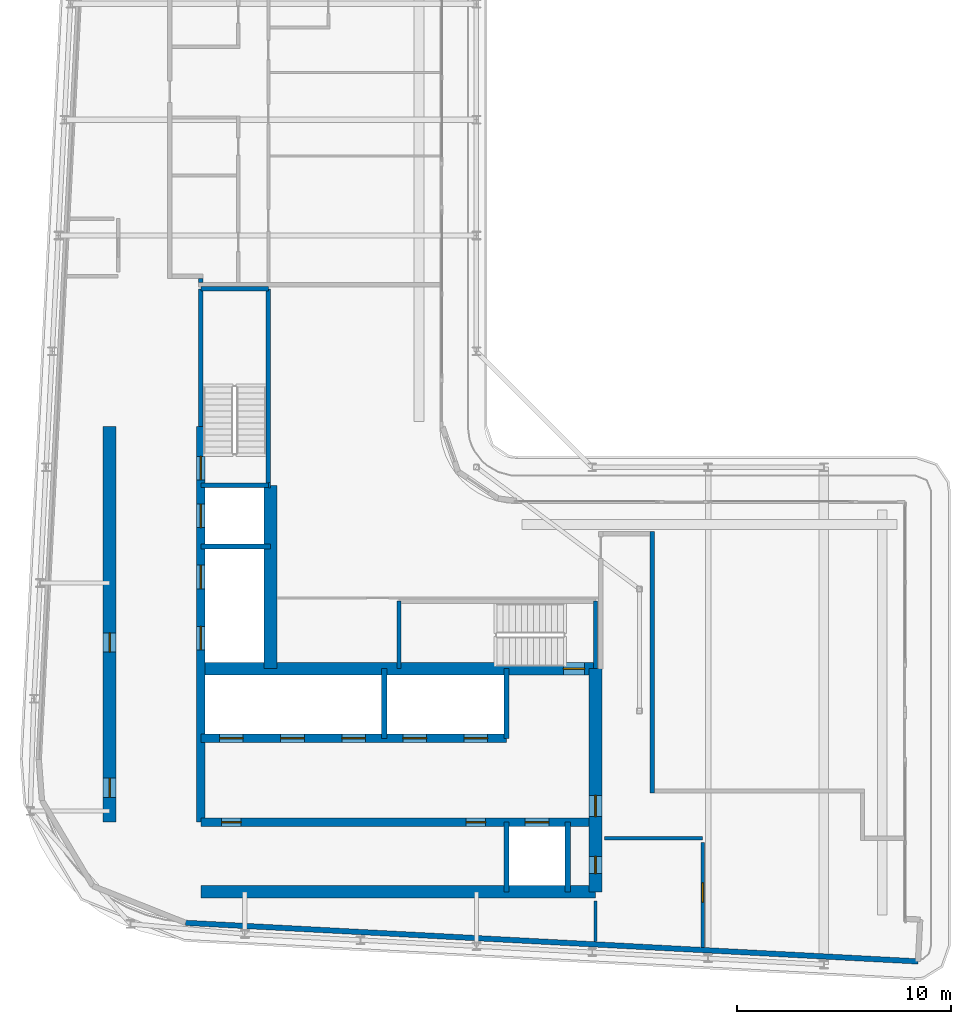
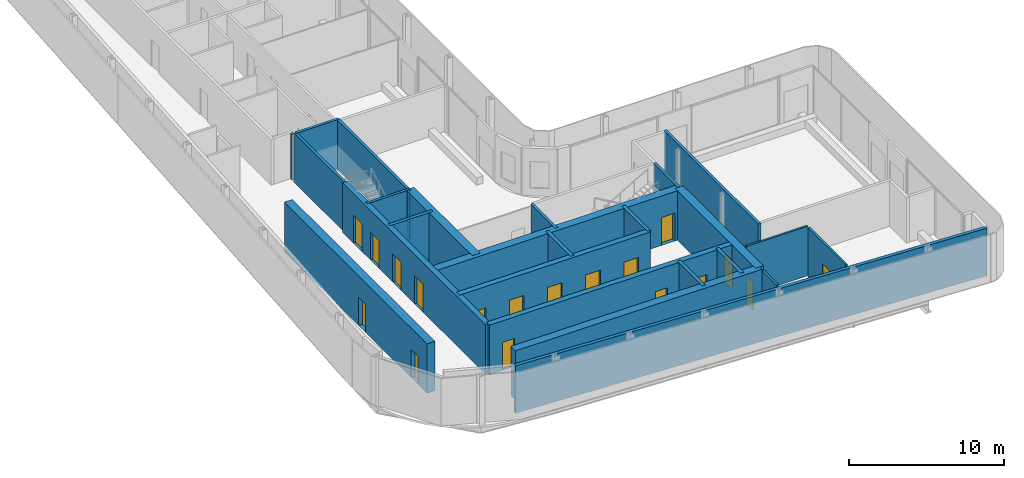
# One storey, part 11 of 20: 26 walls, 18 doors, 18 openings.
"""IFC4 building model written with IfcOpenShell, lengths in metres."""

import ifcopenshell
import ifcopenshell.guid

model = None  # the IFC model being written
_history = None  # IfcOwnerHistory: only IFC2X3 demands one
_inside = {}  # id of a spatial element -> (the spatial element, [elements in it])
_under = {}  # id of a project, library or spatial element -> (it, [spatial elements below it])
_declared = {}  # id of a project -> (the project, [libraries it declares])
_typed = {}  # id of a type object -> (the type object, [elements of that type])
_made_of = {}  # id of a material, layer set ... -> (it, [elements and type objects made of it])


def new_model(schema):
    """Start an empty IFC model of exactly this schema.

    Asked for "IFC4X3", IfcOpenShell would pick the latest addendum, in which some entities
    have other attributes; the version numbers below select the first issue.
    IFC2X3 requires an IfcOwnerHistory on every rooted entity: one is made here for all.
    """
    global model, _history
    if schema == "IFC4X3":
        model = ifcopenshell.file(schema_version=(4, 3, 0, 0))
    else:
        model = ifcopenshell.file(schema=schema)
    _inside.clear()
    _under.clear()
    _declared.clear()
    _typed.clear()
    _made_of.clear()
    _history = None
    if model.schema == "IFC2X3":
        org = make("IfcOrganization", Name="unknown")
        user = make(
            "IfcPersonAndOrganization",
            ThePerson=make("IfcPerson", FamilyName="unknown"),
            TheOrganization=org,
        )
        app = make(
            "IfcApplication",
            ApplicationDeveloper=org,
            Version="unknown",
            ApplicationFullName="unknown",
            ApplicationIdentifier="unknown",
        )
        _history = make(
            "IfcOwnerHistory",
            OwningUser=user,
            OwningApplication=app,
            ChangeAction="ADDED",
            CreationDate=0,
        )
    return model


def make(cls, **values):
    """One entity of the class cls with the attributes given. An attribute that is None is left unset."""
    return model.create_entity(
        cls, **{name: value for name, value in values.items() if value is not None}
    )


def rooted(cls, **values):
    """An entity with a GlobalId (a new one), such as an element, a storey or a relation."""
    return make(cls, GlobalId=ifcopenshell.guid.new(), OwnerHistory=_history, **values)


def si_unit(unit_type, name, prefix=None):
    """IfcSIUnit, for example si_unit("LENGTHUNIT", "METRE", prefix="MILLI")."""
    return make("IfcSIUnit", UnitType=unit_type, Prefix=prefix, Name=name)


def assignment(units):
    """IfcUnitAssignment: the units of a project."""
    return None if units is None else make("IfcUnitAssignment", Units=units)


def point(xyz):
    """IfcCartesianPoint."""
    return None if xyz is None else make("IfcCartesianPoint", Coordinates=xyz)


def direction(xyz):
    """IfcDirection."""
    return None if xyz is None else make("IfcDirection", DirectionRatios=xyz)


def frame(location, z_axis=None, x_axis=None):
    """IfcAxis2Placement3D, a coordinate frame: its origin and axes. An axis left out is left unset."""
    return make(
        "IfcAxis2Placement3D",
        Location=point(location),
        Axis=direction(z_axis),
        RefDirection=direction(x_axis),
    )


def frame_2d(location, x_axis=None):
    """IfcAxis2Placement2D, a coordinate frame in the plane: its origin and x axis."""
    return make(
        "IfcAxis2Placement2D", Location=point(location), RefDirection=direction(x_axis)
    )


def origin():
    """The frame at (0, 0, 0) with its axes left unset."""
    return frame((0.0, 0.0, 0.0))


def place(relative_to, where):
    """IfcLocalPlacement: puts the frame where relative to a parent placement (None: the world)."""
    return make(
        "IfcLocalPlacement", PlacementRelTo=relative_to, RelativePlacement=where
    )


def context(
    kind, dimensions, precision=None, world=None, true_north=None, identifier=None
):
    """IfcGeometricRepresentationContext, for example the 3D "Model" context."""
    return make(
        "IfcGeometricRepresentationContext",
        ContextIdentifier=identifier,
        ContextType=kind,
        CoordinateSpaceDimension=dimensions,
        Precision=precision,
        WorldCoordinateSystem=world,
        TrueNorth=true_north,
    )


def subcontext(parent, identifier, kind, view, scale=None):
    """IfcGeometricRepresentationSubContext, for example "Body" below "Model"."""
    return make(
        "IfcGeometricRepresentationSubContext",
        ContextIdentifier=identifier,
        ContextType=kind,
        ParentContext=parent,
        TargetScale=scale,
        TargetView=view,
    )


def project(units=None, contexts=None):
    """IfcProject with its units and contexts."""
    return rooted(
        "IfcProject",
        Name="project",
        RepresentationContexts=contexts,
        UnitsInContext=assignment(units),
    )


def spatial(cls, under=None, at=None, **own):
    """A site, building, storey or space (cls), placed at a placement, below another one or the project."""
    s = rooted(cls, ObjectPlacement=at, **own)
    if under is not None:
        _under.setdefault(under.id(), (under, []))[1].append(s)
    return s


def profile(cls, at=None, kind="AREA", **sizes):
    """A parametric profile (cls). Its sizes go by their IFC names, for example OverallWidth=200.0."""
    return make(cls, ProfileType=kind, Position=at, **sizes)


def rectangle(**sizes):
    """IfcRectangleProfileDef."""
    return profile("IfcRectangleProfileDef", **sizes)


def extrude(swept, where, along, depth):
    """IfcExtrudedAreaSolid: the profile swept, set in the frame where, extruded along a direction by depth."""
    return make(
        "IfcExtrudedAreaSolid",
        SweptArea=swept,
        Position=where,
        ExtrudedDirection=direction(along),
        Depth=depth,
    )


def shape(context_of_items, identifier, shape_type, items):
    """IfcShapeRepresentation: the items that make up one representation, for example the "Body"."""
    return make(
        "IfcShapeRepresentation",
        ContextOfItems=context_of_items,
        RepresentationIdentifier=identifier,
        RepresentationType=shape_type,
        Items=items,
    )


def source(mapping_origin, context_of_items, identifier, shape_type, items):
    """IfcRepresentationMap: a shape defined once, which mapped items show again and again."""
    return make(
        "IfcRepresentationMap",
        MappingOrigin=mapping_origin,
        MappedRepresentation=shape(context_of_items, identifier, shape_type, items),
    )


def transform(
    local_origin,
    x_axis=None,
    y_axis=None,
    z_axis=None,
    scale=None,
    scale2=None,
    scale3=None,
    uniform=True,
):
    """IfcCartesianTransformationOperator3D, or its non-uniform kind. x_axis, y_axis, z_axis: its Axis1, 2, 3."""
    if uniform:
        return make(
            "IfcCartesianTransformationOperator3D",
            Axis1=direction(x_axis),
            Axis2=direction(y_axis),
            LocalOrigin=point(local_origin),
            Scale=scale,
            Axis3=direction(z_axis),
        )
    return make(
        "IfcCartesianTransformationOperator3DnonUniform",
        Axis1=direction(x_axis),
        Axis2=direction(y_axis),
        LocalOrigin=point(local_origin),
        Scale=scale,
        Axis3=direction(z_axis),
        Scale2=scale2,
        Scale3=scale3,
    )


def mapped(mapping_source, mapping_target):
    """IfcMappedItem: shows the shape of a source again, moved by a transform."""
    return make(
        "IfcMappedItem", MappingSource=mapping_source, MappingTarget=mapping_target
    )


def material(Name=None, Category=None):
    """IfcMaterial."""
    return make("IfcMaterial", Name=Name, Category=Category)


def layer(
    of_material, thickness, ventilated=None, Name=None, Category=None, Priority=None
):
    """IfcMaterialLayer: one layer of a wall or slab, of a material (None: an air gap)."""
    return make(
        "IfcMaterialLayer",
        Material=of_material,
        LayerThickness=thickness,
        IsVentilated=ventilated,
        Name=Name,
        Category=Category,
        Priority=Priority,
    )


def layer_set(layers, Name=None):
    """IfcMaterialLayerSet."""
    return make("IfcMaterialLayerSet", MaterialLayers=layers, LayerSetName=Name)


def made_of(thing, what):
    """Note that an element or type object is made of a material, layer set ...; save() writes the relation."""
    if what is not None:
        _made_of.setdefault(what.id(), (what, []))[1].append(thing)
    return thing


def type_object(cls, material=None, **own):
    """A type object (cls), such as IfcWallType, which elements share."""
    return made_of(rooted(cls, **own), material)


def element(
    cls,
    number,
    at=None,
    inside=None,
    cuts=None,
    type_object=None,
    material=None,
    context=None,
    identifier="Body",
    shape_type=None,
    held_by="IfcProductDefinitionShape",
    body=None,
    shapes=None,
    **own,
):
    """One element of the class cls, such as IfcWall. Its Tag is "e" and its number.

    at: its placement. inside: the storey or other place that contains it. cuts: it is an
    opening in that element (IfcRelVoidsElement). A single representation is given by context,
    identifier, shape_type and body (its items); several are given by shapes. held_by: the class
    of the entity that holds the representations. save() writes the other relations.
    """
    e = rooted(cls, Tag="e%d" % number, ObjectPlacement=at, **own)
    if body is not None:
        shapes = [shape(context, identifier, shape_type, body)]
    if shapes is not None:
        e.Representation = make(held_by, Representations=shapes)
    if inside is not None:
        _inside.setdefault(inside.id(), (inside, []))[1].append(e)
    if cuts is not None:
        rooted(
            "IfcRelVoidsElement", RelatingBuildingElement=cuts, RelatedOpeningElement=e
        )
    if type_object is not None:
        _typed.setdefault(type_object.id(), (type_object, []))[1].append(e)
    return made_of(e, material)


def fill(opening, filler):
    """IfcRelFillsElement: the door or window that sits in an opening."""
    return rooted(
        "IfcRelFillsElement",
        RelatingOpeningElement=opening,
        RelatedBuildingElement=filler,
    )


def aggregate(whole, parts):
    """IfcRelAggregates: a whole, such as a stair, and the parts it consists of."""
    return rooted("IfcRelAggregates", RelatingObject=whole, RelatedObjects=parts)


def save(model, path):
    """Write the relations noted so far, then the file.

    IfcRelAggregates (storeys below a building ...), IfcRelContainedInSpatialStructure (elements
    in a storey), IfcRelDefinesByType, IfcRelAssociatesMaterial and IfcRelDeclares: one each for
    every whole, place, type object, material and project.
    """
    for whole, parts in _under.values():
        aggregate(whole, parts)
    for where, things in _inside.values():
        rooted(
            "IfcRelContainedInSpatialStructure",
            RelatedElements=things,
            RelatingStructure=where,
        )
    for kind, things in _typed.values():
        rooted("IfcRelDefinesByType", RelatedObjects=things, RelatingType=kind)
    for what, things in _made_of.values():
        rooted("IfcRelAssociatesMaterial", RelatedObjects=things, RelatingMaterial=what)
    for by, libraries in _declared.values():
        rooted("IfcRelDeclares", RelatingContext=by, RelatedDefinitions=libraries)
    model.write(path)


model = new_model("IFC4")

# Units and contexts
model_context = context("Model", 3, precision=1e-05, world=origin(), true_north=direction((0.0, 1.0)))
body_context = subcontext(model_context, "Body", "Model", "MODEL_VIEW")
ifc_project = project(units=[si_unit("LENGTHUNIT", "METRE"), si_unit("AREAUNIT", "SQUARE_METRE"), si_unit("VOLUMEUNIT", "CUBIC_METRE"), si_unit("PLANEANGLEUNIT", "RADIAN"), si_unit("MASSUNIT", "GRAM", prefix="KILO")], contexts=[model_context])

# Site, building, storey
site_placement = place(None, origin())
site = spatial("IfcSite", under=ifc_project, at=site_placement, CompositionType="ELEMENT")
building_placement = place(site_placement, origin())
building = spatial("IfcBuilding", under=site, at=building_placement, Name="Kheshtan School and Residences Tower", CompositionType="ELEMENT")
storey_placement = place(building_placement, frame((0.0, 0.0, 286.39990234375)))
storey = spatial("IfcBuildingStorey", under=building, at=storey_placement, Name="L67", CompositionType="ELEMENT", Elevation=286.39990234375)

# Wall, openings, doors
ifc_material_1 = material(Name="Concrete C50/60", Category="concrete")
ifc_layer_1 = layer(ifc_material_1, 0.39990234375)
ifc_layer_set_1 = layer_set([ifc_layer_1], Name="Core wall 400 Concrete C50/60")
wall_type_1 = type_object("IfcWallType", Name="Core wall 400 Concrete C50/60", PredefinedType="SHEAR", material=ifc_layer_set_1)
wall_1_placement = place(storey_placement, frame((34.75, 29.050048828125, 0.0), z_axis=(0.0, 0.0, 1.0), x_axis=(1.0, 0.0, 0.0)))
wall_1 = element("IfcWall", 1, at=wall_1_placement, inside=storey, type_object=wall_type_1, Name="Core wall CW-HALL-S1", PredefinedType="SHEAR", context=body_context, shape_type="SweptSolid", body=[
    extrude(rectangle(XDim=18.39990234375, YDim=0.39990234375, at=frame_2d((9.199951171875, 0.0))), origin(), (0.0, 0.0, 1.0), 3.900146484375),
])
opening_1_placement = place(wall_1_placement, frame((15.125, 0.0, 0.0)))
opening_1 = element("IfcOpeningElement", 2, at=opening_1_placement, cuts=wall_1, Name="Opening LD", PredefinedType="OPENING", context=body_context, shape_type="SweptSolid", body=[
    extrude(rectangle(XDim=1.10009765625, YDim=2.199951171875, at=frame_2d((0.550048828125, 1.10009765625))), frame((0.0, 0.2099609375, 0.0), z_axis=(0.0, -1.0, 0.0), x_axis=(1.0, 0.0, 0.0)), (0.0, 0.0, 1.0), 0.419921875),
])
opening_2_placement = place(wall_1_placement, frame((0.97509765625, 0.0, 0.0)))
opening_2 = element("IfcOpeningElement", 3, at=opening_2_placement, cuts=wall_1, Name="Opening SR90", PredefinedType="OPENING", context=body_context, shape_type="SweptSolid", body=[
    extrude(rectangle(XDim=0.89990234375, YDim=2.199951171875, at=frame_2d((0.449951171875, 1.10009765625))), frame((0.0, 0.2099609375, 0.0), z_axis=(0.0, -1.0, 0.0), x_axis=(1.0, 0.0, 0.0)), (0.0, 0.0, 1.0), 0.419921875),
])
opening_3_placement = place(wall_1_placement, frame((12.375, 0.0, 0.0)))
opening_3 = element("IfcOpeningElement", 4, at=opening_3_placement, cuts=wall_1, Name="Opening SR90", PredefinedType="OPENING", context=body_context, shape_type="SweptSolid", body=[
    extrude(rectangle(XDim=0.89990234375, YDim=2.199951171875, at=frame_2d((0.449951171875, 1.10009765625))), frame((0.0, 0.2099609375, 0.0), z_axis=(0.0, -1.0, 0.0), x_axis=(1.0, 0.0, 0.0)), (0.0, 0.0, 1.0), 0.419921875),
])
ifc_material_2 = material(Name="Stainless steel door leaves", Category="steel")
door_type_1 = type_object("IfcDoorType", Name="Lift landing door 1100", OperationType="SLIDING_TO_LEFT", PredefinedType="DOOR", material=ifc_material_2)
shared_shape_1 = source(origin(), body_context, "Body", "SweptSolid", [
    extrude(rectangle(XDim=1.10009765625, YDim=2.199951171875, at=frame_2d((0.550048828125, 1.10009765625))), frame((0.0, 0.02490234375, 0.0), z_axis=(0.0, -1.0, 0.0), x_axis=(1.0, 0.0, 0.0)), (0.0, 0.0, 1.0), 0.050048828125),
])
door_1_placement = place(opening_1_placement, origin())
door_1 = element("IfcDoor", 5, at=door_1_placement, inside=storey, type_object=door_type_1, Name="Lift FFL2 landing door", OperationType="SLIDING_TO_LEFT", OverallHeight=2.199951171875, OverallWidth=1.10009765625, PredefinedType="DOOR", context=body_context, shape_type="MappedRepresentation", body=[
    mapped(shared_shape_1, transform((0.0, 0.0, 0.0), x_axis=(1.0, 0.0, 0.0), y_axis=(0.0, 1.0, 0.0), z_axis=(0.0, 0.0, 1.0), scale=1.0)),
])
fill(opening_1, door_1)
ifc_material_3 = material(Name="Steel door leaf, galvanised", Category="steel")
door_type_2 = type_object("IfcDoorType", Name="Service room door 900 steel 90 min", OperationType="SINGLE_SWING_LEFT", PredefinedType="DOOR", material=ifc_material_3)
shared_shape_2 = source(origin(), body_context, "Body", "SweptSolid", [
    extrude(rectangle(XDim=0.89990234375, YDim=2.199951171875, at=frame_2d((0.449951171875, 1.10009765625))), frame((0.0, 0.02490234375, 0.0), z_axis=(0.0, -1.0, 0.0), x_axis=(1.0, 0.0, 0.0)), (0.0, 0.0, 1.0), 0.050048828125),
])
door_2_placement = place(opening_2_placement, origin())
door_2 = element("IfcDoor", 6, at=door_2_placement, inside=storey, type_object=door_type_2, Name="Service room door", OperationType="SINGLE_SWING_LEFT", OverallHeight=2.199951171875, OverallWidth=0.89990234375, PredefinedType="DOOR", context=body_context, shape_type="MappedRepresentation", body=[
    mapped(shared_shape_2, transform((0.0, 0.0, 0.0), x_axis=(1.0, 0.0, 0.0), y_axis=(0.0, 1.0, 0.0), z_axis=(0.0, 0.0, 1.0), scale=1.0)),
])
fill(opening_2, door_2)
door_3_placement = place(opening_3_placement, origin())
door_3 = element("IfcDoor", 7, at=door_3_placement, inside=storey, type_object=door_type_2, Name="Service room door", OperationType="SINGLE_SWING_LEFT", OverallHeight=2.199951171875, OverallWidth=0.89990234375, PredefinedType="DOOR", context=body_context, shape_type="MappedRepresentation", body=[
    mapped(shared_shape_2, transform((0.0, 0.0, 0.0), x_axis=(1.0, 0.0, 0.0), y_axis=(0.0, 1.0, 0.0), z_axis=(0.0, 0.0, 1.0), scale=1.0)),
])
fill(opening_3, door_3)

wall_2_placement = place(storey_placement, frame((34.75, 32.949951171875, 0.0), z_axis=(0.0, 0.0, 1.0), x_axis=(1.0, 0.0, 0.0)))
wall_2 = element("IfcWall", 8, at=wall_2_placement, inside=storey, type_object=wall_type_1, Name="Core wall CW-HALL-S2", PredefinedType="SHEAR", context=body_context, shape_type="SweptSolid", body=[
    extrude(rectangle(XDim=14.25, YDim=0.39990234375, at=frame_2d((7.125, 0.0))), origin(), (0.0, 0.0, 1.0), 3.900146484375),
])
opening_4_placement = place(wall_2_placement, frame((0.875, 0.0, 0.0)))
opening_4 = element("IfcOpeningElement", 9, at=opening_4_placement, cuts=wall_2, Name="Opening LD", PredefinedType="OPENING", context=body_context, shape_type="SweptSolid", body=[
    extrude(rectangle(XDim=1.10009765625, YDim=2.199951171875, at=frame_2d((0.550048828125, 1.10009765625))), frame((0.0, 0.2099609375, 0.0), z_axis=(0.0, -1.0, 0.0), x_axis=(1.0, 0.0, 0.0)), (0.0, 0.0, 1.0), 0.419921875),
])
opening_5_placement = place(wall_2_placement, frame((3.72509765625, 0.0, 0.0)))
opening_5 = element("IfcOpeningElement", 10, at=opening_5_placement, cuts=wall_2, Name="Opening LD", PredefinedType="OPENING", context=body_context, shape_type="SweptSolid", body=[
    extrude(rectangle(XDim=1.10009765625, YDim=2.199951171875, at=frame_2d((0.550048828125, 1.10009765625))), frame((0.0, 0.2099609375, 0.0), z_axis=(0.0, -1.0, 0.0), x_axis=(1.0, 0.0, 0.0)), (0.0, 0.0, 1.0), 0.419921875),
])
opening_6_placement = place(wall_2_placement, frame((6.574951171875, 0.0, 0.0)))
opening_6 = element("IfcOpeningElement", 11, at=opening_6_placement, cuts=wall_2, Name="Opening LD", PredefinedType="OPENING", context=body_context, shape_type="SweptSolid", body=[
    extrude(rectangle(XDim=1.10009765625, YDim=2.199951171875, at=frame_2d((0.550048828125, 1.10009765625))), frame((0.0, 0.2099609375, 0.0), z_axis=(0.0, -1.0, 0.0), x_axis=(1.0, 0.0, 0.0)), (0.0, 0.0, 1.0), 0.419921875),
])
opening_7_placement = place(wall_2_placement, frame((9.425048828125, 0.0, 0.0)))
opening_7 = element("IfcOpeningElement", 12, at=opening_7_placement, cuts=wall_2, Name="Opening LD", PredefinedType="OPENING", context=body_context, shape_type="SweptSolid", body=[
    extrude(rectangle(XDim=1.10009765625, YDim=2.199951171875, at=frame_2d((0.550048828125, 1.10009765625))), frame((0.0, 0.2099609375, 0.0), z_axis=(0.0, -1.0, 0.0), x_axis=(1.0, 0.0, 0.0)), (0.0, 0.0, 1.0), 0.419921875),
])
opening_8_placement = place(wall_2_placement, frame((12.27490234375, 0.0, 0.0)))
opening_8 = element("IfcOpeningElement", 13, at=opening_8_placement, cuts=wall_2, Name="Opening LD", PredefinedType="OPENING", context=body_context, shape_type="SweptSolid", body=[
    extrude(rectangle(XDim=1.10009765625, YDim=2.199951171875, at=frame_2d((0.550048828125, 1.10009765625))), frame((0.0, 0.2099609375, 0.0), z_axis=(0.0, -1.0, 0.0), x_axis=(1.0, 0.0, 0.0)), (0.0, 0.0, 1.0), 0.419921875),
])
door_4_placement = place(opening_4_placement, origin())
door_4 = element("IfcDoor", 14, at=door_4_placement, inside=storey, type_object=door_type_1, Name="Lift P12 landing door", OperationType="SLIDING_TO_LEFT", OverallHeight=2.199951171875, OverallWidth=1.10009765625, PredefinedType="DOOR", context=body_context, shape_type="MappedRepresentation", body=[
    mapped(shared_shape_1, transform((0.0, 0.0, 0.0), x_axis=(1.0, 0.0, 0.0), y_axis=(0.0, 1.0, 0.0), z_axis=(0.0, 0.0, 1.0), scale=1.0)),
])
fill(opening_4, door_4)
door_5_placement = place(opening_5_placement, origin())
door_5 = element("IfcDoor", 15, at=door_5_placement, inside=storey, type_object=door_type_1, Name="Lift P13 landing door", OperationType="SLIDING_TO_LEFT", OverallHeight=2.199951171875, OverallWidth=1.10009765625, PredefinedType="DOOR", context=body_context, shape_type="MappedRepresentation", body=[
    mapped(shared_shape_1, transform((0.0, 0.0, 0.0), x_axis=(1.0, 0.0, 0.0), y_axis=(0.0, 1.0, 0.0), z_axis=(0.0, 0.0, 1.0), scale=1.0)),
])
fill(opening_5, door_5)
door_6_placement = place(opening_6_placement, origin())
door_6 = element("IfcDoor", 16, at=door_6_placement, inside=storey, type_object=door_type_1, Name="Lift P14 landing door", OperationType="SLIDING_TO_LEFT", OverallHeight=2.199951171875, OverallWidth=1.10009765625, PredefinedType="DOOR", context=body_context, shape_type="MappedRepresentation", body=[
    mapped(shared_shape_1, transform((0.0, 0.0, 0.0), x_axis=(1.0, 0.0, 0.0), y_axis=(0.0, 1.0, 0.0), z_axis=(0.0, 0.0, 1.0), scale=1.0)),
])
fill(opening_6, door_6)
door_7_placement = place(opening_7_placement, origin())
door_7 = element("IfcDoor", 17, at=door_7_placement, inside=storey, type_object=door_type_1, Name="Lift P15 landing door", OperationType="SLIDING_TO_LEFT", OverallHeight=2.199951171875, OverallWidth=1.10009765625, PredefinedType="DOOR", context=body_context, shape_type="MappedRepresentation", body=[
    mapped(shared_shape_1, transform((0.0, 0.0, 0.0), x_axis=(1.0, 0.0, 0.0), y_axis=(0.0, 1.0, 0.0), z_axis=(0.0, 0.0, 1.0), scale=1.0)),
])
fill(opening_7, door_7)
door_8_placement = place(opening_8_placement, origin())
door_8 = element("IfcDoor", 18, at=door_8_placement, inside=storey, type_object=door_type_1, Name="Lift P16 landing door", OperationType="SLIDING_TO_LEFT", OverallHeight=2.199951171875, OverallWidth=1.10009765625, PredefinedType="DOOR", context=body_context, shape_type="MappedRepresentation", body=[
    mapped(shared_shape_1, transform((0.0, 0.0, 0.0), x_axis=(1.0, 0.0, 0.0), y_axis=(0.0, 1.0, 0.0), z_axis=(0.0, 0.0, 1.0), scale=1.0)),
])
fill(opening_8, door_8)

wall_3_placement = place(storey_placement, frame((34.75, 29.050048828125, 0.0), z_axis=(0.0, 0.0, 1.0), x_axis=(0.0, 1.0, 0.0)))
wall_3 = element("IfcWall", 19, at=wall_3_placement, inside=storey, type_object=wall_type_1, Name="Core wall CW-HALL-W1", PredefinedType="SHEAR", context=body_context, shape_type="SweptSolid", body=[
    extrude(rectangle(XDim=18.449951171875, YDim=0.39990234375, at=frame_2d((9.22509765625, 0.0))), origin(), (0.0, 0.0, 1.0), 3.900146484375),
])
opening_9_placement = place(wall_3_placement, frame((8.02490234375, 0.0, 0.0)))
opening_9 = element("IfcOpeningElement", 20, at=opening_9_placement, cuts=wall_3, Name="Opening LD", PredefinedType="OPENING", context=body_context, shape_type="SweptSolid", body=[
    extrude(rectangle(XDim=1.10009765625, YDim=2.199951171875, at=frame_2d((0.550048828125, 1.10009765625))), frame((0.0, 0.2099609375, 0.0), z_axis=(0.0, -1.0, 0.0), x_axis=(1.0, 0.0, 0.0)), (0.0, 0.0, 1.0), 0.419921875),
])
opening_10_placement = place(wall_3_placement, frame((10.875, 0.0, 0.0)))
opening_10 = element("IfcOpeningElement", 21, at=opening_10_placement, cuts=wall_3, Name="Opening LD", PredefinedType="OPENING", context=body_context, shape_type="SweptSolid", body=[
    extrude(rectangle(XDim=1.10009765625, YDim=2.199951171875, at=frame_2d((0.550048828125, 1.10009765625))), frame((0.0, 0.2099609375, 0.0), z_axis=(0.0, -1.0, 0.0), x_axis=(1.0, 0.0, 0.0)), (0.0, 0.0, 1.0), 0.419921875),
])
opening_11_placement = place(wall_3_placement, frame((13.72509765625, 0.0, 0.0)))
opening_11 = element("IfcOpeningElement", 22, at=opening_11_placement, cuts=wall_3, Name="Opening LD", PredefinedType="OPENING", context=body_context, shape_type="SweptSolid", body=[
    extrude(rectangle(XDim=1.10009765625, YDim=2.199951171875, at=frame_2d((0.550048828125, 1.10009765625))), frame((0.0, 0.2099609375, 0.0), z_axis=(0.0, -1.0, 0.0), x_axis=(1.0, 0.0, 0.0)), (0.0, 0.0, 1.0), 0.419921875),
])
opening_12_placement = place(wall_3_placement, frame((15.949951171875, 0.0, 0.0)))
opening_12 = element("IfcOpeningElement", 23, at=opening_12_placement, cuts=wall_3, Name="Opening ST2D", PredefinedType="OPENING", context=body_context, shape_type="SweptSolid", body=[
    extrude(rectangle(XDim=1.10009765625, YDim=2.199951171875, at=frame_2d((0.550048828125, 1.10009765625))), frame((0.0, 0.2099609375, 0.0), z_axis=(0.0, -1.0, 0.0), x_axis=(1.0, 0.0, 0.0)), (0.0, 0.0, 1.0), 0.419921875),
])
door_9_placement = place(opening_9_placement, origin())
door_9 = element("IfcDoor", 24, at=door_9_placement, inside=storey, type_object=door_type_1, Name="Lift SV1 landing door", OperationType="SLIDING_TO_LEFT", OverallHeight=2.199951171875, OverallWidth=1.10009765625, PredefinedType="DOOR", context=body_context, shape_type="MappedRepresentation", body=[
    mapped(shared_shape_1, transform((0.0, 0.0, 0.0), x_axis=(1.0, 0.0, 0.0), y_axis=(0.0, 1.0, 0.0), z_axis=(0.0, 0.0, 1.0), scale=1.0)),
])
fill(opening_9, door_9)
door_10_placement = place(opening_10_placement, origin())
door_10 = element("IfcDoor", 25, at=door_10_placement, inside=storey, type_object=door_type_1, Name="Lift SV2 landing door", OperationType="SLIDING_TO_LEFT", OverallHeight=2.199951171875, OverallWidth=1.10009765625, PredefinedType="DOOR", context=body_context, shape_type="MappedRepresentation", body=[
    mapped(shared_shape_1, transform((0.0, 0.0, 0.0), x_axis=(1.0, 0.0, 0.0), y_axis=(0.0, 1.0, 0.0), z_axis=(0.0, 0.0, 1.0), scale=1.0)),
])
fill(opening_10, door_10)
door_11_placement = place(opening_11_placement, origin())
door_11 = element("IfcDoor", 26, at=door_11_placement, inside=storey, type_object=door_type_1, Name="Lift FFL1 landing door", OperationType="SLIDING_TO_LEFT", OverallHeight=2.199951171875, OverallWidth=1.10009765625, PredefinedType="DOOR", context=body_context, shape_type="MappedRepresentation", body=[
    mapped(shared_shape_1, transform((0.0, 0.0, 0.0), x_axis=(1.0, 0.0, 0.0), y_axis=(0.0, 1.0, 0.0), z_axis=(0.0, 0.0, 1.0), scale=1.0)),
])
fill(opening_11, door_11)
door_type_3 = type_object("IfcDoorType", Name="Stair door 1100 steel 90 min", OperationType="SINGLE_SWING_LEFT", PredefinedType="DOOR", material=ifc_material_3)
shared_shape_3 = source(origin(), body_context, "Body", "SweptSolid", [
    extrude(rectangle(XDim=1.10009765625, YDim=2.199951171875, at=frame_2d((0.550048828125, 1.10009765625))), frame((0.0, 0.02490234375, 0.0), z_axis=(0.0, -1.0, 0.0), x_axis=(1.0, 0.0, 0.0)), (0.0, 0.0, 1.0), 0.050048828125),
])
door_12_placement = place(opening_12_placement, origin())
door_12 = element("IfcDoor", 27, at=door_12_placement, inside=storey, type_object=door_type_3, Name="Stair ST2 door", OperationType="SINGLE_SWING_RIGHT", OverallHeight=2.199951171875, OverallWidth=1.10009765625, PredefinedType="DOOR", context=body_context, shape_type="MappedRepresentation", body=[
    mapped(shared_shape_3, transform((0.0, 0.0, 0.0), x_axis=(1.0, 0.0, 0.0), y_axis=(0.0, 1.0, 0.0), z_axis=(0.0, 0.0, 1.0), scale=1.0)),
])
fill(opening_12, door_12)

# Wall
ifc_material_4 = material(Name="Concrete C60/75", Category="concrete")
ifc_layer_2 = layer(ifc_material_4, 0.60009765625)
ifc_layer_set_2 = layer_set([ifc_layer_2], Name="Core wall 600 Concrete C60/75")
wall_type_2 = type_object("IfcWallType", Name="Core wall 600 Concrete C60/75", PredefinedType="SHEAR", material=ifc_layer_set_2)
wall_4_placement = place(storey_placement, frame((34.75, 25.800048828125, 0.0), z_axis=(0.0, 0.0, 1.0), x_axis=(1.0, 0.0, 0.0)))
element("IfcWall", 28, at=wall_4_placement, inside=storey, type_object=wall_type_2, Name="Core wall CW-REAR-S", PredefinedType="SHEAR", context=body_context, shape_type="SweptSolid", body=[
    extrude(rectangle(XDim=18.39990234375, YDim=0.60009765625, at=frame_2d((9.199951171875, 0.0))), origin(), (0.0, 0.0, 1.0), 3.900146484375),
])

# Wall, opening, door
wall_5_placement = place(storey_placement, frame((34.75, 36.199951171875, 0.0), z_axis=(0.0, 0.0, 1.0), x_axis=(1.0, 0.0, 0.0)))
wall_5 = element("IfcWall", 29, at=wall_5_placement, inside=storey, type_object=wall_type_2, Name="Core wall CW-FRONT-S", PredefinedType="SHEAR", context=body_context, shape_type="SweptSolid", body=[
    extrude(rectangle(XDim=18.39990234375, YDim=0.60009765625, at=frame_2d((9.199951171875, 0.0))), origin(), (0.0, 0.0, 1.0), 3.900146484375),
])
opening_13_placement = place(wall_5_placement, frame((16.89990234375, 0.0, 0.0)))
opening_13 = element("IfcOpeningElement", 30, at=opening_13_placement, cuts=wall_5, Name="Opening ST1D", PredefinedType="OPENING", context=body_context, shape_type="SweptSolid", body=[
    extrude(rectangle(XDim=1.0, YDim=2.199951171875, at=frame_2d((0.5, 1.10009765625))), frame((0.0, 0.31005859375, 0.0), z_axis=(0.0, -1.0, 0.0), x_axis=(1.0, 0.0, 0.0)), (0.0, 0.0, 1.0), 0.6201171875),
])
shared_shape_4 = source(origin(), body_context, "Body", "SweptSolid", [
    extrude(rectangle(XDim=1.0, YDim=2.199951171875, at=frame_2d((0.5, 1.10009765625))), frame((0.0, 0.02490234375, 0.0), z_axis=(0.0, -1.0, 0.0), x_axis=(1.0, 0.0, 0.0)), (0.0, 0.0, 1.0), 0.050048828125),
])
door_13_placement = place(opening_13_placement, origin())
door_13 = element("IfcDoor", 31, at=door_13_placement, inside=storey, type_object=door_type_3, Name="Stair ST1 door", OperationType="SINGLE_SWING_RIGHT", OverallHeight=2.199951171875, OverallWidth=1.0, PredefinedType="DOOR", context=body_context, shape_type="MappedRepresentation", body=[
    mapped(shared_shape_4, transform((0.0, 0.0, 0.0), x_axis=(1.0, 0.0, 0.0), y_axis=(0.0, 1.0, 0.0), z_axis=(0.0, 0.0, 1.0), scale=1.0)),
])
fill(opening_13, door_13)

# Wall
wall_6_placement = place(storey_placement, frame((38.0, 36.199951171875, 0.0), z_axis=(0.0, 0.0, 1.0), x_axis=(0.0, 1.0, 0.0)))
element("IfcWall", 32, at=wall_6_placement, inside=storey, type_object=wall_type_2, Name="Core wall CW-FRONT-W", PredefinedType="SHEAR", context=body_context, shape_type="SweptSolid", body=[
    extrude(rectangle(XDim=8.550048828125, YDim=0.60009765625, at=frame_2d((4.27490234375, 0.0))), origin(), (0.0, 0.0, 1.0), 3.900146484375),
])

# Wall, openings, doors
wall_7_placement = place(storey_placement, frame((30.5, 29.050048828125, 0.0), z_axis=(0.0, 0.0, 1.0), x_axis=(0.0, 1.0, 0.0)))
wall_7 = element("IfcWall", 33, at=wall_7_placement, inside=storey, type_object=wall_type_2, Name="Core wall CW-REAR-W", PredefinedType="SHEAR", context=body_context, shape_type="SweptSolid", body=[
    extrude(rectangle(XDim=18.449951171875, YDim=0.60009765625, at=frame_2d((9.22509765625, 0.0))), origin(), (0.0, 0.0, 1.0), 3.900146484375),
])
opening_14_placement = place(wall_7_placement, frame((1.14697265625, 0.0, 0.0)))
opening_14 = element("IfcOpeningElement", 34, at=opening_14_placement, cuts=wall_7, Name="Opening SR90", PredefinedType="OPENING", context=body_context, shape_type="SweptSolid", body=[
    extrude(rectangle(XDim=0.89990234375, YDim=2.199951171875, at=frame_2d((0.449951171875, 1.10009765625))), frame((0.0, 0.31005859375, 0.0), z_axis=(0.0, -1.0, 0.0), x_axis=(1.0, 0.0, 0.0)), (0.0, 0.0, 1.0), 0.6201171875),
])
opening_15_placement = place(wall_7_placement, frame((7.925048828125, 0.0, 0.0)))
opening_15 = element("IfcOpeningElement", 35, at=opening_15_placement, cuts=wall_7, Name="Opening SR90", PredefinedType="OPENING", context=body_context, shape_type="SweptSolid", body=[
    extrude(rectangle(XDim=0.89990234375, YDim=2.199951171875, at=frame_2d((0.449951171875, 1.10009765625))), frame((0.0, 0.31005859375, 0.0), z_axis=(0.0, -1.0, 0.0), x_axis=(1.0, 0.0, 0.0)), (0.0, 0.0, 1.0), 0.6201171875),
])
door_14_placement = place(opening_14_placement, origin())
door_14 = element("IfcDoor", 36, at=door_14_placement, inside=storey, type_object=door_type_2, Name="Service room door", OperationType="SINGLE_SWING_LEFT", OverallHeight=2.199951171875, OverallWidth=0.89990234375, PredefinedType="DOOR", context=body_context, shape_type="MappedRepresentation", body=[
    mapped(shared_shape_2, transform((0.0, 0.0, 0.0), x_axis=(1.0, 0.0, 0.0), y_axis=(0.0, 1.0, 0.0), z_axis=(0.0, 0.0, 1.0), scale=1.0)),
])
fill(opening_14, door_14)
door_15_placement = place(opening_15_placement, origin())
door_15 = element("IfcDoor", 37, at=door_15_placement, inside=storey, type_object=door_type_2, Name="Service room door", OperationType="SINGLE_SWING_LEFT", OverallHeight=2.199951171875, OverallWidth=0.89990234375, PredefinedType="DOOR", context=body_context, shape_type="MappedRepresentation", body=[
    mapped(shared_shape_2, transform((0.0, 0.0, 0.0), x_axis=(1.0, 0.0, 0.0), y_axis=(0.0, 1.0, 0.0), z_axis=(0.0, 0.0, 1.0), scale=1.0)),
])
fill(opening_15, door_15)

wall_8_placement = place(storey_placement, frame((53.14990234375, 25.800048828125, 0.0), z_axis=(0.0, 0.0, 1.0), x_axis=(0.0, 1.0, 0.0)))
wall_8 = element("IfcWall", 38, at=wall_8_placement, inside=storey, type_object=wall_type_2, Name="Core wall CW-EAST", PredefinedType="SHEAR", context=body_context, shape_type="SweptSolid", body=[
    extrude(rectangle(XDim=10.39990234375, YDim=0.60009765625, at=frame_2d((5.199951171875, 0.0))), origin(), (0.0, 0.0, 1.0), 3.900146484375),
])
opening_16_placement = place(wall_8_placement, frame((0.85009765625, 0.0, 0.0)))
opening_16 = element("IfcOpeningElement", 39, at=opening_16_placement, cuts=wall_8, Name="Opening SR80", PredefinedType="OPENING", context=body_context, shape_type="SweptSolid", body=[
    extrude(rectangle(XDim=0.800048828125, YDim=2.199951171875, at=frame_2d((0.39990234375, 1.10009765625))), frame((0.0, 0.31005859375, 0.0), z_axis=(0.0, -1.0, 0.0), x_axis=(1.0, 0.0, 0.0)), (0.0, 0.0, 1.0), 0.6201171875),
])
opening_17_placement = place(wall_8_placement, frame((3.5, 0.0, 0.0)))
opening_17 = element("IfcOpeningElement", 40, at=opening_17_placement, cuts=wall_8, Name="Opening SD91", PredefinedType="OPENING", context=body_context, shape_type="SweptSolid", body=[
    extrude(rectangle(XDim=1.0, YDim=2.199951171875, at=frame_2d((0.5, 1.10009765625))), frame((0.0, 0.31005859375, 0.0), z_axis=(0.0, -1.0, 0.0), x_axis=(1.0, 0.0, 0.0)), (0.0, 0.0, 1.0), 0.6201171875),
])
door_type_4 = type_object("IfcDoorType", Name="Service room door 800 steel 90 min", OperationType="SINGLE_SWING_LEFT", PredefinedType="DOOR", material=ifc_material_3)
shared_shape_5 = source(origin(), body_context, "Body", "SweptSolid", [
    extrude(rectangle(XDim=0.800048828125, YDim=2.199951171875, at=frame_2d((0.39990234375, 1.10009765625))), frame((0.0, 0.02490234375, 0.0), z_axis=(0.0, -1.0, 0.0), x_axis=(1.0, 0.0, 0.0)), (0.0, 0.0, 1.0), 0.050048828125),
])
door_16_placement = place(opening_16_placement, origin())
door_16 = element("IfcDoor", 41, at=door_16_placement, inside=storey, type_object=door_type_4, Name="Service room door", OperationType="SINGLE_SWING_LEFT", OverallHeight=2.199951171875, OverallWidth=0.800048828125, PredefinedType="DOOR", context=body_context, shape_type="MappedRepresentation", body=[
    mapped(shared_shape_5, transform((0.0, 0.0, 0.0), x_axis=(1.0, 0.0, 0.0), y_axis=(0.0, 1.0, 0.0), z_axis=(0.0, 0.0, 1.0), scale=1.0)),
])
fill(opening_16, door_16)
door_type_5 = type_object("IfcDoorType", Name="Firefighting lobby door 1000 steel 90 min", OperationType="SINGLE_SWING_LEFT", PredefinedType="DOOR", material=ifc_material_3)
shared_shape_6 = source(origin(), body_context, "Body", "SweptSolid", [
    extrude(rectangle(XDim=1.0, YDim=2.199951171875, at=frame_2d((0.5, 1.10009765625))), frame((0.0, 0.02490234375, 0.0), z_axis=(0.0, -1.0, 0.0), x_axis=(1.0, 0.0, 0.0)), (0.0, 0.0, 1.0), 0.050048828125),
])
door_17_placement = place(opening_17_placement, origin())
door_17 = element("IfcDoor", 42, at=door_17_placement, inside=storey, type_object=door_type_5, Name="Firefighting lobby door", OperationType="SINGLE_SWING_LEFT", OverallHeight=2.199951171875, OverallWidth=1.0, PredefinedType="DOOR", context=body_context, shape_type="MappedRepresentation", body=[
    mapped(shared_shape_6, transform((0.0, 0.0, 0.0), x_axis=(1.0, 0.0, 0.0), y_axis=(0.0, 1.0, 0.0), z_axis=(0.0, 0.0, 1.0), scale=1.0)),
])
fill(opening_17, door_17)

# Walls
ifc_material_5 = material(Name="Gypsum board on steel studs with fire boards", Category="steel")
ifc_layer_3 = layer(ifc_material_5, 0.199951171875)
ifc_layer_set_3 = layer_set([ifc_layer_3], Name="Corridor wall 200")
wall_type_3 = type_object("IfcWallType", Name="Corridor wall 200", PredefinedType="PARTITIONING", material=ifc_layer_set_3)
wall_9_placement = place(storey_placement, frame((34.75, 54.199951171875, 0.0), z_axis=(0.0, 0.0, 1.0), x_axis=(0.0, 1.0, 0.0)))
element("IfcWall", 43, at=wall_9_placement, inside=storey, type_object=wall_type_3, Name="Partition L67-017", PredefinedType="PARTITIONING", context=body_context, shape_type="SweptSolid", body=[
    extrude(rectangle(XDim=0.199951171875, YDim=0.199951171875, at=frame_2d((0.10009765625, 0.0))), origin(), (0.0, 0.0, 1.0), 3.60009765625),
])
wall_10_placement = place(storey_placement, frame((55.800048828125, 30.39990234375, 0.0), z_axis=(0.0, 0.0, 1.0), x_axis=(0.0, 1.0, 0.0)))
element("IfcWall", 44, at=wall_10_placement, inside=storey, type_object=wall_type_3, Name="Partition L67-041", PredefinedType="PARTITIONING", context=body_context, shape_type="SweptSolid", body=[
    extrude(rectangle(XDim=12.2001953125, YDim=0.199951171875, at=frame_2d((6.10009765625, 0.0))), origin(), (0.0, 0.0, 1.0), 3.60009765625),
])
ifc_material_6 = material(Name="Concrete C40/50 with ceramic cladding and mineral wool insulation", Category="concrete")
ifc_layer_4 = layer(ifc_material_6, 0.25)
ifc_layer_set_4 = layer_set([ifc_layer_4], Name="External wall 250 ceramic clad")
wall_type_4 = type_object("IfcWallType", Name="External wall 250 ceramic clad", PredefinedType="SOLIDWALL", material=ifc_layer_set_4)
wall_11_placement = place(storey_placement, frame((68.18603515625, 22.554931640625, 0.0), z_axis=(0.0, 0.0, 1.0), x_axis=(-0.998616468095, 0.052584690257, 0.0)))
element("IfcWall", 45, at=wall_11_placement, inside=storey, type_object=wall_type_4, Name="External wall L67 16", PredefinedType="SOLIDWALL", context=body_context, shape_type="SweptSolid", body=[
    extrude(rectangle(XDim=34.1943359375, YDim=0.25, at=frame_2d((17.09716796875, 0.0))), origin(), (0.0, 0.0, 1.0), 3.75),
])
ifc_material_7 = material(Name="Fire-board shaft wall system")
ifc_layer_5 = layer(ifc_material_7, 0.14990234375)
ifc_layer_set_5 = layer_set([ifc_layer_5], Name="Service room wall 150")
wall_type_5 = type_object("IfcWallType", Name="Service room wall 150", PredefinedType="PARTITIONING", material=ifc_layer_set_5)
wall_12_placement = place(storey_placement, frame((53.570068359375, 28.300048828125, 0.0), z_axis=(0.0, 0.0, 1.0), x_axis=(1.0, 0.0, 0.0)))
element("IfcWall", 46, at=wall_12_placement, inside=storey, type_object=wall_type_5, Name="Service room wall", PredefinedType="PARTITIONING", context=body_context, shape_type="SweptSolid", body=[
    extrude(rectangle(XDim=4.579833984375, YDim=0.14990234375, at=frame_2d((2.2900390625, 0.0))), origin(), (0.0, 0.0, 1.0), 3.900146484375),
])
wall_13_placement = place(storey_placement, frame((53.14990234375, 23.47509765625, 0.0), z_axis=(0.0, 0.0, 1.0), x_axis=(0.0, 1.0, 0.0)))
element("IfcWall", 47, at=wall_13_placement, inside=storey, type_object=wall_type_5, Name="Service room wall", PredefinedType="PARTITIONING", context=body_context, shape_type="SweptSolid", body=[
    extrude(rectangle(XDim=1.90478515625, YDim=0.14990234375, at=frame_2d((0.952392578125, 0.0))), origin(), (0.0, 0.0, 1.0), 3.900146484375),
])

# Wall, opening, door
wall_14_placement = place(storey_placement, frame((58.14990234375, 23.2109375, 0.0), z_axis=(0.0, 0.0, 1.0), x_axis=(0.0, 1.0, 0.0)))
wall_14 = element("IfcWall", 48, at=wall_14_placement, inside=storey, type_object=wall_type_5, Name="Service room wall", PredefinedType="PARTITIONING", context=body_context, shape_type="SweptSolid", body=[
    extrude(rectangle(XDim=4.89404296875, YDim=0.14990234375, at=frame_2d((2.447021484375, 0.0))), origin(), (0.0, 0.0, 1.0), 3.900146484375),
])
opening_18_placement = place(wall_14_placement, frame((2.10888671875, 0.0, 0.0)))
opening_18 = element("IfcOpeningElement", 49, at=opening_18_placement, cuts=wall_14, Name="Opening SR90", PredefinedType="OPENING", context=body_context, shape_type="SweptSolid", body=[
    extrude(rectangle(XDim=0.89990234375, YDim=2.199951171875, at=frame_2d((0.449951171875, 1.10009765625))), frame((0.0, 0.0849609375, 0.0), z_axis=(0.0, -1.0, 0.0), x_axis=(1.0, 0.0, 0.0)), (0.0, 0.0, 1.0), 0.169921875),
])
door_18_placement = place(opening_18_placement, origin())
door_18 = element("IfcDoor", 50, at=door_18_placement, inside=storey, type_object=door_type_2, Name="Service room door", OperationType="SINGLE_SWING_LEFT", OverallHeight=2.199951171875, OverallWidth=0.89990234375, PredefinedType="DOOR", context=body_context, shape_type="MappedRepresentation", body=[
    mapped(shared_shape_2, transform((0.0, 0.0, 0.0), x_axis=(1.0, 0.0, 0.0), y_axis=(0.0, 1.0, 0.0), z_axis=(0.0, 0.0, 1.0), scale=1.0)),
])
fill(opening_18, door_18)

# Walls
ifc_layer_6 = layer(ifc_material_7, 0.25)
ifc_layer_set_6 = layer_set([ifc_layer_6], Name="Shaft lining wall 250")
wall_type_6 = type_object("IfcWallType", Name="Shaft lining wall 250", PredefinedType="PARTITIONING", material=ifc_layer_set_6)
for number, where, z_axis, x_axis, name in (
    (51, (43.300048828125, 32.949951171875, 0.0), (0.0, 0.0, 1.0), (0.0, 1.0, 0.0), "Shaft lining wall"),
    (52, (49.0, 25.800048828125, 0.0), (0.0, 0.0, 1.0), (0.0, 1.0, 0.0), "Shaft lining wall"),
    (53, (49.0, 32.949951171875, 0.0), (0.0, 0.0, 1.0), (0.0, 1.0, 0.0), "Shaft lining wall"),
    (54, (51.85009765625, 25.800048828125, 0.0), (0.0, 0.0, 1.0), (0.0, 1.0, 0.0), "Shaft lining wall"),
    (55, (34.75, 41.89990234375, 0.0), (0.0, 0.0, 1.0), (1.0, 0.0, 0.0), "Shaft lining wall"),
):
    element("IfcWall", number, at=place(storey_placement, frame(where, z_axis=z_axis, x_axis=x_axis)), inside=storey, type_object=wall_type_6, Name=name, PredefinedType="PARTITIONING", context=body_context, shape_type="SweptSolid", body=[
        extrude(rectangle(XDim=3.25, YDim=0.25, at=frame_2d((1.625, 0.0))), origin(), (0.0, 0.0, 1.0), 3.900146484375),
    ])
wall_15_placement = place(storey_placement, frame((37.89990234375, 44.75, 0.0), z_axis=(0.0, 0.0, 1.0), x_axis=(1.0, 0.0, 0.0)))
element("IfcWall", 56, at=wall_15_placement, inside=storey, type_object=wall_type_6, Name="Shaft lining wall", PredefinedType="PARTITIONING", context=body_context, shape_type="SweptSolid", body=[
    extrude(rectangle(XDim=0.10009765625, YDim=0.25, at=frame_2d((0.050048828125, 0.0))), origin(), (0.0, 0.0, 1.0), 3.900146484375),
])
ifc_material_8 = material(Name="Concrete C40/50", Category="concrete")
ifc_layer_7 = layer(ifc_material_8, 0.199951171875)
ifc_layer_set_7 = layer_set([ifc_layer_7], Name="Stair enclosure wall 200 Concrete C40/50")
wall_type_7 = type_object("IfcWallType", Name="Stair enclosure wall 200 Concrete C40/50", PredefinedType="SHEAR", material=ifc_layer_set_7)
for number, where, z_axis, x_axis, name in (
    (57, (43.989990234375, 36.199951171875, 0.0), (0.0, 0.0, 1.0), (0.0, 1.0, 0.0), "Stair enclosure wall ST1"),
    (58, (53.14990234375, 36.199951171875, 0.0), (0.0, 0.0, 1.0), (0.0, 1.0, 0.0), "Stair enclosure wall ST1"),
):
    element("IfcWall", number, at=place(storey_placement, frame(where, z_axis=z_axis, x_axis=x_axis)), inside=storey, type_object=wall_type_7, Name=name, PredefinedType="SHEAR", context=body_context, shape_type="SweptSolid", body=[
        extrude(rectangle(XDim=3.150146484375, YDim=0.199951171875, at=frame_2d((1.5751953125, 0.0))), origin(), (0.0, 0.0, 1.0), 3.900146484375),
    ])
for number, where, z_axis, x_axis, name in (
    (59, (34.75, 44.75, 0.0), (0.0, 0.0, 1.0), (1.0, 0.0, 0.0), "Stair enclosure wall ST2"),
    (60, (34.75, 53.909912109375, 0.0), (0.0, 0.0, 1.0), (1.0, 0.0, 0.0), "Stair enclosure wall ST2"),
):
    element("IfcWall", number, at=place(storey_placement, frame(where, z_axis=z_axis, x_axis=x_axis)), inside=storey, type_object=wall_type_7, Name=name, PredefinedType="SHEAR", context=body_context, shape_type="SweptSolid", body=[
        extrude(rectangle(XDim=3.14990234375, YDim=0.199951171875, at=frame_2d((1.574951171875, 0.0))), origin(), (0.0, 0.0, 1.0), 3.900146484375),
    ])
wall_16_placement = place(storey_placement, frame((34.75, 47.5, 0.0), z_axis=(0.0, 0.0, 1.0), x_axis=(0.0, 1.0, 0.0)))
element("IfcWall", 61, at=wall_16_placement, inside=storey, type_object=wall_type_7, Name="Stair enclosure wall ST2", PredefinedType="SHEAR", context=body_context, shape_type="SweptSolid", body=[
    extrude(rectangle(XDim=6.409912109375, YDim=0.199951171875, at=frame_2d((3.205078125, 0.0))), origin(), (0.0, 0.0, 1.0), 3.900146484375),
])
wall_17_placement = place(storey_placement, frame((37.89990234375, 44.75, 0.0), z_axis=(0.0, 0.0, 1.0), x_axis=(0.0, 1.0, 0.0)))
element("IfcWall", 62, at=wall_17_placement, inside=storey, type_object=wall_type_7, Name="Stair enclosure wall ST2", PredefinedType="SHEAR", context=body_context, shape_type="SweptSolid", body=[
    extrude(rectangle(XDim=9.159912109375, YDim=0.199951171875, at=frame_2d((4.580078125, 0.0))), origin(), (0.0, 0.0, 1.0), 3.900146484375),
])

save(model, "model.ifc")
